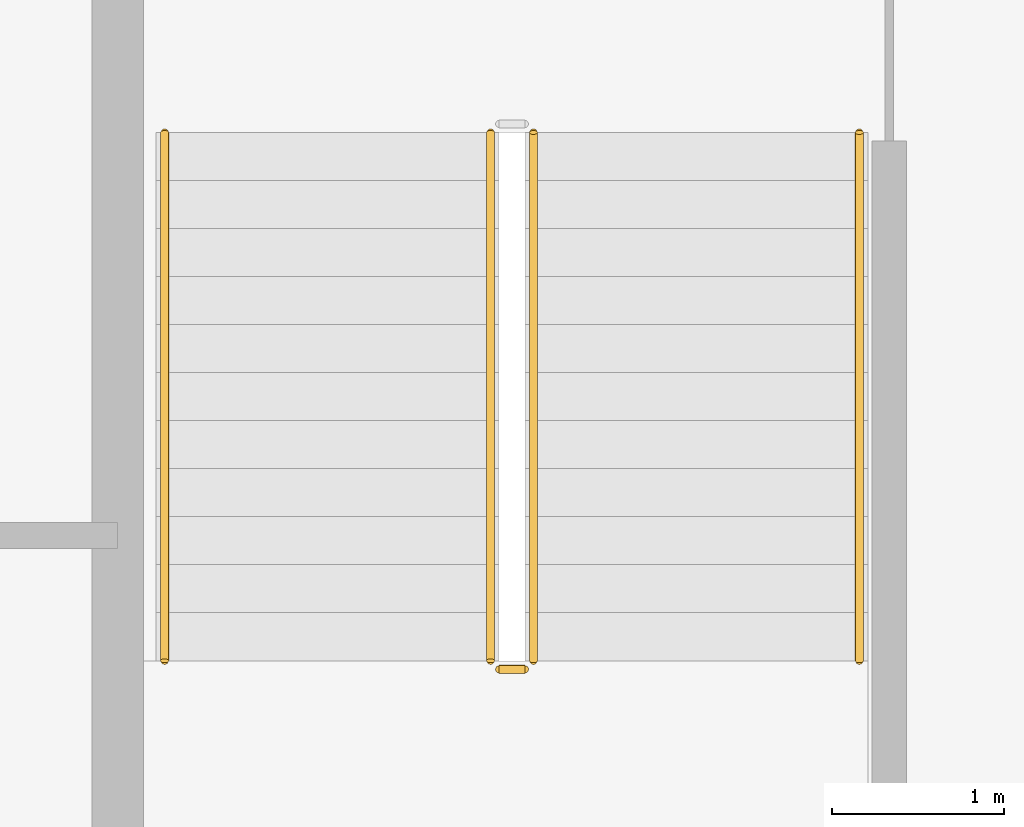
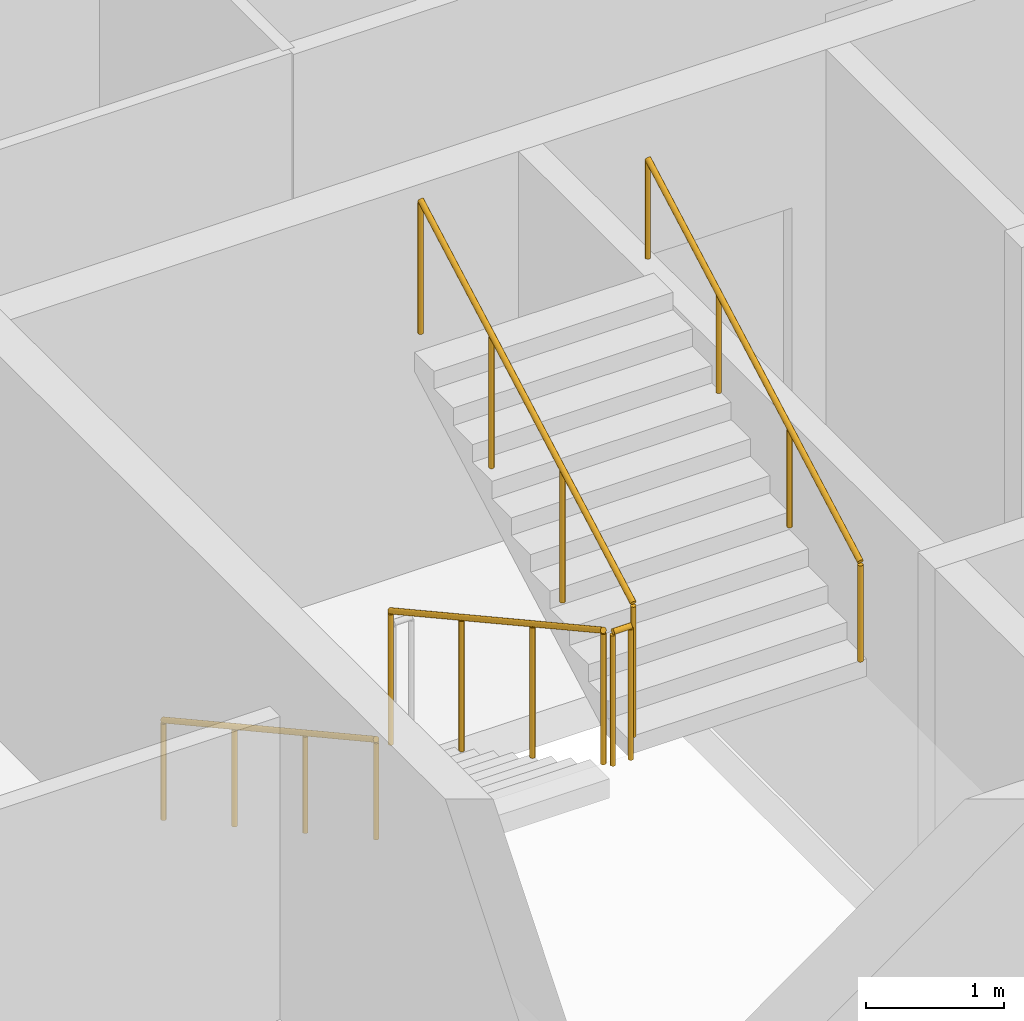
# One storey, part 10 of 12: 5 railings.
"""IFC4 building model written with IfcOpenShell, lengths in metres."""

from ifc_helpers import new_model, si_unit, direction, frame, origin, origin_2d, place, context, subcontext, project, spatial, circle, extrude, material, type_object, element, save


model = new_model("IFC4")

# Units and contexts
model_context = context("Model", 3, precision=1e-05, world=origin(), true_north=direction((0.0, 1.0)))
body_context = subcontext(model_context, "Body", "Model", "MODEL_VIEW")
ifc_project = project(units=[si_unit("LENGTHUNIT", "METRE"), si_unit("AREAUNIT", "SQUARE_METRE"), si_unit("VOLUMEUNIT", "CUBIC_METRE"), si_unit("PLANEANGLEUNIT", "RADIAN"), si_unit("MASSUNIT", "GRAM", prefix="KILO")], contexts=[model_context])

# Site, building, storey
site_placement = place(None, origin())
site = spatial("IfcSite", under=ifc_project, at=site_placement, CompositionType="ELEMENT")
building_placement = place(site_placement, origin())
building = spatial("IfcBuilding", under=site, at=building_placement, Name="Caravel Reach Hotel and Residences", CompositionType="ELEMENT")
storey_placement = place(building_placement, frame((0.0, 0.0, 245.300048828125)))
storey = spatial("IfcBuildingStorey", under=building, at=storey_placement, Name="L62", CompositionType="ELEMENT", Elevation=245.300048828125)

# Railings
ifc_material_1 = material(Name="Steel balustrade with glass infill", Category="steel")
railing_type_1 = type_object("IfcRailingType", Name="Guard 1200", PredefinedType="GUARDRAIL", material=ifc_material_1)
railing_1_placement = place(storey_placement, frame((20.175048828125, 29.35009765625, 0.154052734375)))
element("IfcRailing", 1, at=railing_1_placement, inside=storey, type_object=railing_type_1, Name="L62 ST-A stair guard 1", PredefinedType="GUARDRAIL", context=body_context, shape_type="SweptSolid", body=[
    extrude(circle(Radius=0.02392578125, at=origin_2d()), frame((0.0, 0.0, 1.17578125), z_axis=(0.0, -0.876004717809, 0.482302534076), x_axis=(1.0, 0.0, 0.0)), (0.0, 0.0, 1.0), 3.51611328125),
    extrude(circle(Radius=0.02099609375, at=origin_2d()), origin(), (0.0, 0.0, 1.0), 1.15185546875),
    extrude(circle(Radius=0.02099609375, at=origin_2d()), frame((0.0, -1.026611328125, 0.565185546875)), (0.0, 0.0, 1.0), 1.15185546875),
    extrude(circle(Radius=0.02099609375, at=origin_2d()), frame((0.0, -2.053466796875, 1.130615234375)), (0.0, 0.0, 1.0), 1.15185546875),
    extrude(circle(Radius=0.02099609375, at=origin_2d()), frame((0.0, -3.080078125, 1.69580078125)), (0.0, 0.0, 1.0), 1.15185546875),
])
railing_2_placement = place(storey_placement, frame((20.22509765625, 26.219970703125, 1.849853515625)))
element("IfcRailing", 2, at=railing_2_placement, inside=storey, type_object=railing_type_1, Name="L62 ST-A stair guard 2", PredefinedType="GUARDRAIL", context=body_context, shape_type="SweptSolid", body=[
    extrude(circle(Radius=0.02392578125, at=origin_2d()), frame((0.0, 0.0, 1.17578125), z_axis=(1.0, 0.0, 0.0), x_axis=(0.0, 1.0, 0.0)), (0.0, 0.0, 1.0), 0.14990234375),
    extrude(circle(Radius=0.02099609375, at=origin_2d()), origin(), (0.0, 0.0, 1.0), 1.15185546875),
    extrude(circle(Radius=0.02099609375, at=origin_2d()), frame((0.14990234375, 0.0, 0.0)), (0.0, 0.0, 1.0), 1.15185546875),
])
railing_3_placement = place(storey_placement, frame((20.425048828125, 26.27001953125, 2.004150390625)))
element("IfcRailing", 3, at=railing_3_placement, inside=storey, type_object=railing_type_1, Name="L62 ST-A stair guard 3", PredefinedType="GUARDRAIL", context=body_context, shape_type="SweptSolid", body=[
    extrude(circle(Radius=0.02392578125, at=origin_2d()), frame((0.0, 0.0, 1.17578125), z_axis=(0.0, 0.876004717809, 0.482302534076), x_axis=(-1.0, 0.0, 0.0)), (0.0, 0.0, 1.0), 3.51611328125),
    extrude(circle(Radius=0.02099609375, at=origin_2d()), origin(), (0.0, 0.0, 1.0), 1.15185546875),
    extrude(circle(Radius=0.02099609375, at=origin_2d()), frame((0.0, 1.026611328125, 0.565185546875)), (0.0, 0.0, 1.0), 1.15185546875),
    extrude(circle(Radius=0.02099609375, at=origin_2d()), frame((0.0, 2.053466796875, 1.130615234375)), (0.0, 0.0, 1.0), 1.15185546875),
    extrude(circle(Radius=0.02099609375, at=origin_2d()), frame((0.0, 3.080078125, 1.69580078125)), (0.0, 0.0, 1.0), 1.15185546875),
])
ifc_material_2 = material(Name="Stainless steel handrail", Category="steel")
railing_type_2 = type_object("IfcRailingType", Name="Handrail 900", PredefinedType="HANDRAIL", material=ifc_material_2)
railing_4_placement = place(storey_placement, frame((18.27490234375, 29.35009765625, 0.154052734375)))
element("IfcRailing", 4, at=railing_4_placement, inside=storey, type_object=railing_type_2, Name="L62 ST-A stair handrail 1", PredefinedType="HANDRAIL", context=body_context, shape_type="SweptSolid", body=[
    extrude(circle(Radius=0.02392578125, at=origin_2d()), frame((0.0, 0.0, 0.8759765625), z_axis=(0.0, -0.876004717809, 0.482302534076), x_axis=(1.0, 0.0, 0.0)), (0.0, 0.0, 1.0), 3.51611328125),
    extrude(circle(Radius=0.02099609375, at=origin_2d()), origin(), (0.0, 0.0, 1.0), 0.851806640625),
    extrude(circle(Radius=0.02099609375, at=origin_2d()), frame((0.0, -1.026611328125, 0.565185546875)), (0.0, 0.0, 1.0), 0.851806640625),
    extrude(circle(Radius=0.02099609375, at=origin_2d()), frame((0.0, -2.053466796875, 1.130615234375)), (0.0, 0.0, 1.0), 0.851806640625),
    extrude(circle(Radius=0.02099609375, at=origin_2d()), frame((0.0, -3.080078125, 1.69580078125)), (0.0, 0.0, 1.0), 0.851806640625),
])
railing_5_placement = place(storey_placement, frame((22.324951171875, 26.27001953125, 2.004150390625)))
element("IfcRailing", 5, at=railing_5_placement, inside=storey, type_object=railing_type_2, Name="L62 ST-A stair handrail 2", PredefinedType="HANDRAIL", context=body_context, shape_type="SweptSolid", body=[
    extrude(circle(Radius=0.02392578125, at=origin_2d()), frame((0.0, 0.0, 0.8759765625), z_axis=(0.0, 0.876004717809, 0.482302534076), x_axis=(-1.0, 0.0, 0.0)), (0.0, 0.0, 1.0), 3.51611328125),
    extrude(circle(Radius=0.02099609375, at=origin_2d()), origin(), (0.0, 0.0, 1.0), 0.851806640625),
    extrude(circle(Radius=0.02099609375, at=origin_2d()), frame((0.0, 1.026611328125, 0.565185546875)), (0.0, 0.0, 1.0), 0.851806640625),
    extrude(circle(Radius=0.02099609375, at=origin_2d()), frame((0.0, 2.053466796875, 1.130615234375)), (0.0, 0.0, 1.0), 0.851806640625),
    extrude(circle(Radius=0.02099609375, at=origin_2d()), frame((0.0, 3.080078125, 1.69580078125)), (0.0, 0.0, 1.0), 0.851806640625),
])

save(model, "model.ifc")
